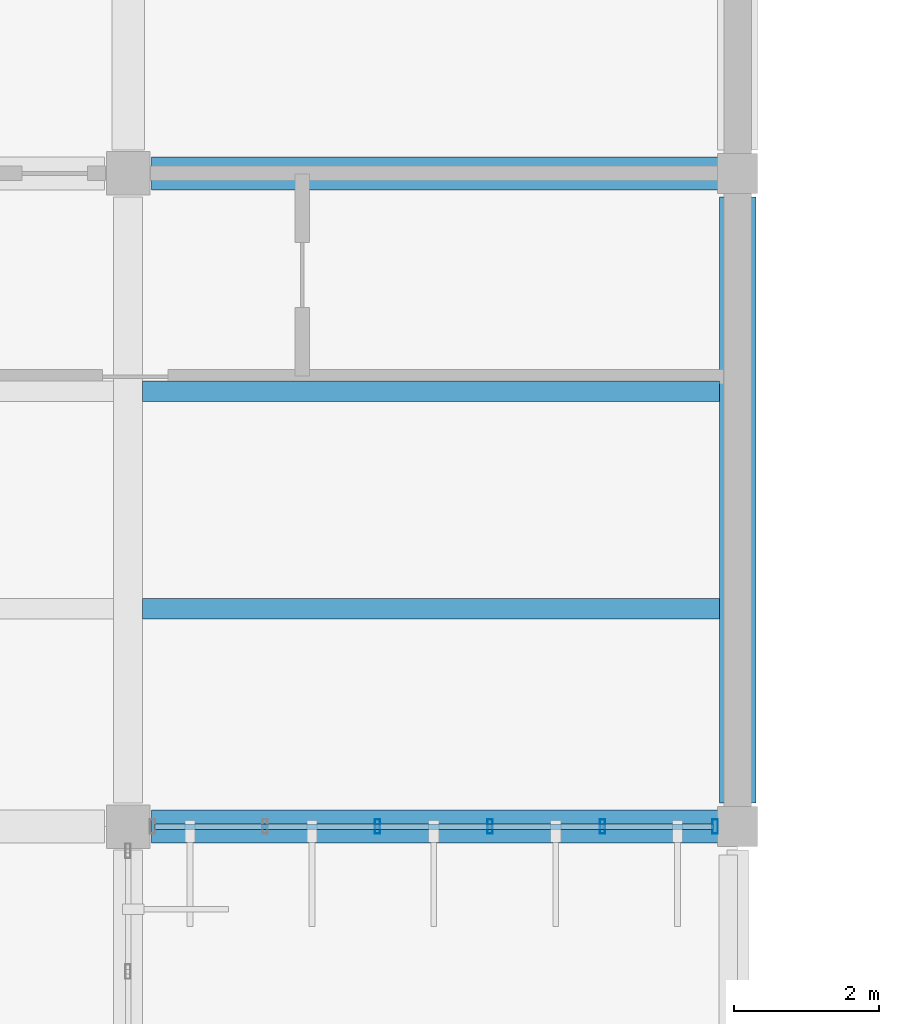
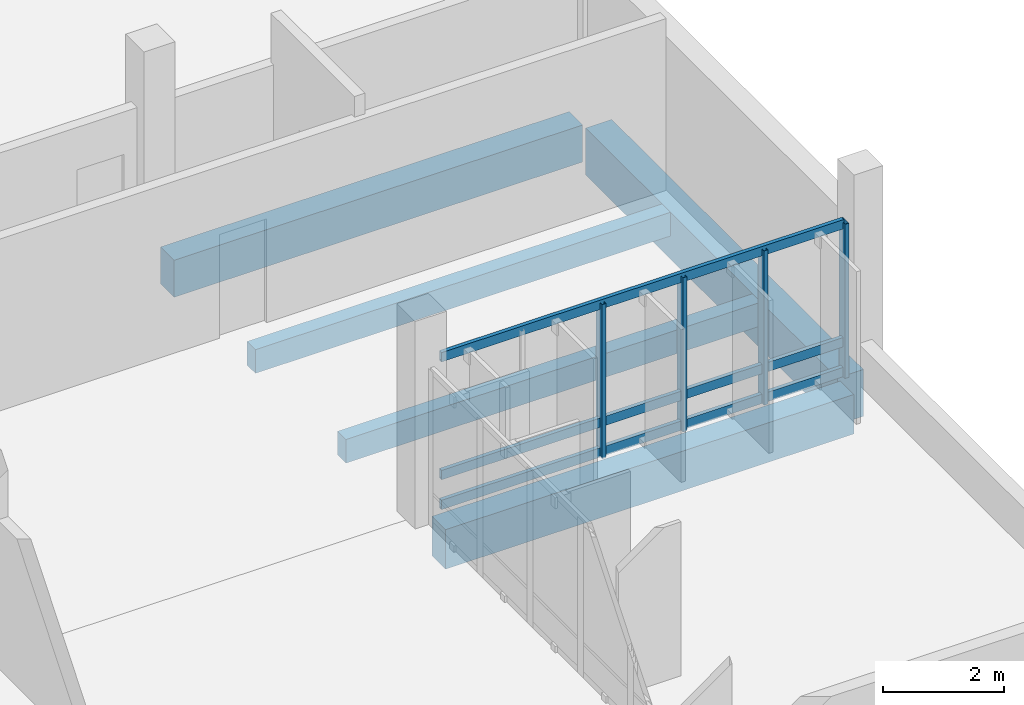
# One storey, part 78 of 130: 7 members, 5 beams, 1 element without a shape of its own.
"""IFC4 building model written with IfcOpenShell, lengths in metres."""

from ifc_helpers import new_model, si_unit, direction, frame, origin, origin_2d, place, context, subcontext, project, spatial, rectangle, hollow_rectangle, extrude, material, layer, layer_set, material_profile, profile_set, type_object, element, aggregate, save


model = new_model("IFC4")

# Units and contexts
model_context = context("Model", 3, precision=1e-05, world=origin(), true_north=direction((0.0, 1.0)))
body_context = subcontext(model_context, "Body", "Model", "MODEL_VIEW")
ifc_project = project(units=[si_unit("LENGTHUNIT", "METRE"), si_unit("AREAUNIT", "SQUARE_METRE"), si_unit("VOLUMEUNIT", "CUBIC_METRE"), si_unit("PLANEANGLEUNIT", "RADIAN"), si_unit("MASSUNIT", "GRAM", prefix="KILO")], contexts=[model_context])

# Site, building, storey
site_placement = place(None, origin())
site = spatial("IfcSite", under=ifc_project, at=site_placement, CompositionType="ELEMENT")
building_placement = place(site_placement, origin())
building = spatial("IfcBuilding", under=site, at=building_placement, Name="Vireocrest Preparatory School", CompositionType="ELEMENT")
storey_placement = place(building_placement, frame((0.0, 0.0, 9.0)))
storey = spatial("IfcBuildingStorey", under=building, at=storey_placement, Name="L02", CompositionType="ELEMENT", Elevation=9.0)

# Curtain wall, members
ifc_material_1 = material(Name="Thermally broken aluminium EN AW-6063-T6", Category="aluminium")
ifc_layer = layer(ifc_material_1, 0.179931640625)
ifc_layer_set = layer_set([ifc_layer], Name="Thermally broken aluminium EN AW-6063-T6")
curtain_wall_type = type_object("IfcCurtainWallType", Name="Side Banded Curtain Wall 9000x3200", PredefinedType="USERDEFINED", material=ifc_layer_set)
curtain_wall_placement = place(storey_placement, origin())
curtain_wall = element("IfcCurtainWall", 1, at=curtain_wall_placement, inside=storey, type_object=curtain_wall_type, Name="Curtain Wall CW09 CW_L02_CW09_1095_0948_090", ObjectType="CURTAIN WALL", PredefinedType="USERDEFINED")
ifc_material_profile_1 = material_profile(ifc_material_1, hollow_rectangle(XDim=0.074951171875, YDim=0.199951171875, WallThickness=0.0048828125, at=origin_2d()), Name="ALU 75x200x5")
ifc_profile_set_1 = profile_set([ifc_material_profile_1], Name="Thermally broken aluminium EN AW-6063-T6")
member_type_1 = type_object("IfcMemberType", Name="CW Mullion 75x200x5", PredefinedType="MULLION", material=ifc_profile_set_1)
member_1_placement = place(storey_placement, frame((112.636962890625, 94.800048828125, 0.0), z_axis=(0.0, 0.0, 1.0), x_axis=(1.0, 0.0, 0.0)))
member_1 = element("IfcMember", 2, at=member_1_placement, type_object=member_type_1, Name="CW Mullion ML3 CW_L02_CW09_1095_0948_090-3", PredefinedType="MULLION", context=body_context, shape_type="SweptSolid", body=[
    extrude(hollow_rectangle(XDim=0.074951171875, YDim=0.199951171875, WallThickness=0.0048828125, at=origin_2d()), origin(), (0.0, 0.0, 1.0), 3.125),
])
member_2_placement = place(storey_placement, frame((114.18798828125, 94.800048828125, 0.0), z_axis=(0.0, 0.0, 1.0), x_axis=(1.0, 0.0, 0.0)))
member_2 = element("IfcMember", 3, at=member_2_placement, type_object=member_type_1, Name="CW Mullion ML3 CW_L02_CW09_1095_0948_090-4", PredefinedType="MULLION", context=body_context, shape_type="SweptSolid", body=[
    extrude(hollow_rectangle(XDim=0.074951171875, YDim=0.199951171875, WallThickness=0.0048828125, at=origin_2d()), origin(), (0.0, 0.0, 1.0), 3.125),
])
member_3_placement = place(storey_placement, frame((115.739013671875, 94.800048828125, 0.0), z_axis=(0.0, 0.0, 1.0), x_axis=(1.0, 0.0, 0.0)))
member_3 = element("IfcMember", 4, at=member_3_placement, type_object=member_type_1, Name="CW Mullion ML3 CW_L02_CW09_1095_0948_090-5", PredefinedType="MULLION", context=body_context, shape_type="SweptSolid", body=[
    extrude(hollow_rectangle(XDim=0.074951171875, YDim=0.199951171875, WallThickness=0.0048828125, at=origin_2d()), origin(), (0.0, 0.0, 1.0), 3.125),
])
member_4_placement = place(storey_placement, frame((117.2900390625, 94.800048828125, 0.0), z_axis=(0.0, 0.0, 1.0), x_axis=(1.0, 0.0, 0.0)))
member_4 = element("IfcMember", 5, at=member_4_placement, type_object=member_type_1, Name="CW Mullion ML3 CW_L02_CW09_1095_0948_090-6", PredefinedType="MULLION", context=body_context, shape_type="SweptSolid", body=[
    extrude(hollow_rectangle(XDim=0.074951171875, YDim=0.199951171875, WallThickness=0.0048828125, at=origin_2d()), origin(), (0.0, 0.0, 1.0), 3.125),
])
ifc_material_profile_2 = material_profile(ifc_material_1, hollow_rectangle(XDim=0.074951171875, YDim=0.18994140625, WallThickness=0.00390625, at=origin_2d()), Name="ALU 75x190x4")
ifc_profile_set_2 = profile_set([ifc_material_profile_2], Name="Thermally broken aluminium EN AW-6063-T6")
member_type_2 = type_object("IfcMemberType", Name="CW Transom 75x190x4", PredefinedType="USERDEFINED", material=ifc_profile_set_2)
member_5_placement = place(storey_placement, frame((109.56005859375, 94.800048828125, 0.094970703125), z_axis=(1.0, 0.0, 0.0), x_axis=(0.0, 1.0, 0.0)))
member_5 = element("IfcMember", 6, at=member_5_placement, type_object=member_type_2, Name="CW Transom TR3 CW_L02_CW09_1095_0948_090-1", ObjectType="TRANSOM", PredefinedType="USERDEFINED", context=body_context, shape_type="SweptSolid", body=[
    extrude(hollow_rectangle(XDim=0.074951171875, YDim=0.18994140625, WallThickness=0.00390625, at=origin_2d()), origin(), (0.0, 0.0, 1.0), 7.704833984375),
])
member_6_placement = place(storey_placement, frame((109.56005859375, 94.800048828125, 0.699951171875), z_axis=(1.0, 0.0, 0.0), x_axis=(0.0, 1.0, 0.0)))
member_6 = element("IfcMember", 7, at=member_6_placement, type_object=member_type_2, Name="CW Transom TR3 CW_L02_CW09_1095_0948_090-2", ObjectType="TRANSOM", PredefinedType="USERDEFINED", context=body_context, shape_type="SweptSolid", body=[
    extrude(hollow_rectangle(XDim=0.074951171875, YDim=0.18994140625, WallThickness=0.00390625, at=origin_2d()), origin(), (0.0, 0.0, 1.0), 7.704833984375),
])
member_7_placement = place(storey_placement, frame((109.56005859375, 94.800048828125, 3.0849609375), z_axis=(1.0, 0.0, 0.0), x_axis=(0.0, 1.0, 0.0)))
member_7 = element("IfcMember", 8, at=member_7_placement, type_object=member_type_2, Name="CW Transom TR3 CW_L02_CW09_1095_0948_090-3", ObjectType="TRANSOM", PredefinedType="USERDEFINED", context=body_context, shape_type="SweptSolid", body=[
    extrude(hollow_rectangle(XDim=0.074951171875, YDim=0.18994140625, WallThickness=0.00390625, at=origin_2d()), origin(), (0.0, 0.0, 1.0), 7.704833984375),
])
aggregate(curtain_wall, [member_1, member_2, member_3, member_4, member_5, member_6, member_7])

# Beams
ifc_material_2 = material(Name="Concrete 40 MPa", Category="concrete")
ifc_material_profile_3 = material_profile(ifc_material_2, rectangle(XDim=0.5, YDim=0.949951171875, at=origin_2d()), Name="RC 500x950")
ifc_profile_set_3 = profile_set([ifc_material_profile_3], Name="Concrete 40 MPa")
beam_type_1 = type_object("IfcBeamType", Name="RC Basement Ceiling Girder 500x950", PredefinedType="BEAM", material=ifc_profile_set_3)
beam_1_placement = place(storey_placement, frame((117.60009765625, 95.125, -0.7548828125), z_axis=(0.0, 1.0, 0.0), x_axis=(-1.0, 0.0, 0.0)))
element("IfcBeam", 9, at=beam_1_placement, inside=storey, type_object=beam_type_1, Name="Primary Girder B16 L02-0873", PredefinedType="BEAM", context=body_context, shape_type="SweptSolid", body=[
    extrude(rectangle(XDim=0.5, YDim=0.949951171875, at=origin_2d()), origin(), (0.0, 0.0, 1.0), 8.35009765625),
])
ifc_material_profile_4 = material_profile(ifc_material_2, rectangle(XDim=0.449951171875, YDim=0.75, at=origin_2d()), Name="RC 450x750")
ifc_profile_set_4 = profile_set([ifc_material_profile_4], Name="Concrete 40 MPa")
beam_type_2 = type_object("IfcBeamType", Name="RC Library Stack Girder 450x750", PredefinedType="BEAM", material=ifc_profile_set_4)
beam_2_placement = place(storey_placement, frame((109.52490234375, 103.800048828125, -0.655029296875), z_axis=(1.0, 0.0, 0.0), x_axis=(0.0, 1.0, 0.0)))
element("IfcBeam", 10, at=beam_2_placement, inside=storey, type_object=beam_type_2, Name="Primary Girder B11 L02-0773", PredefinedType="BEAM", context=body_context, shape_type="SweptSolid", body=[
    extrude(rectangle(XDim=0.449951171875, YDim=0.75, at=origin_2d()), origin(), (0.0, 0.0, 1.0), 7.8251953125),
])
ifc_material_profile_5 = material_profile(ifc_material_2, rectangle(XDim=0.449951171875, YDim=0.800048828125, at=origin_2d()), Name="RC 450x800")
ifc_profile_set_5 = profile_set([ifc_material_profile_5], Name="Concrete 40 MPa")
beam_type_3 = type_object("IfcBeamType", Name="RC Library Stack Girder 450x800", PredefinedType="BEAM", material=ifc_profile_set_5)
beam_3_placement = place(storey_placement, frame((109.52490234375, 94.800048828125, -0.679931640625), z_axis=(1.0, 0.0, 0.0), x_axis=(0.0, 1.0, 0.0)))
element("IfcBeam", 11, at=beam_3_placement, inside=storey, type_object=beam_type_3, Name="Primary Girder B12 L02-0764", PredefinedType="BEAM", context=body_context, shape_type="SweptSolid", body=[
    extrude(rectangle(XDim=0.449951171875, YDim=0.800048828125, at=origin_2d()), origin(), (0.0, 0.0, 1.0), 7.8251953125),
])
ifc_material_profile_6 = material_profile(ifc_material_2, rectangle(XDim=0.280029296875, YDim=0.47998046875, at=origin_2d()), Name="RC 280x480")
ifc_profile_set_6 = profile_set([ifc_material_profile_6], Name="Concrete 40 MPa")
beam_type_4 = type_object("IfcBeamType", Name="RC Secondary Lab Joist 280x480", PredefinedType="JOIST", material=ifc_profile_set_6)
for number, where, z_axis, x_axis, name in (
    (12, (109.39990234375, 97.800048828125, -0.52001953125), (1.0, 0.0, 0.0), (0.0, 1.0, 0.0), "Secondary Joist J02 L02-1012"),
    (13, (109.39990234375, 100.800048828125, -0.52001953125), (1.0, 0.0, 0.0), (0.0, 1.0, 0.0), "Secondary Joist J02 L02-1013"),
):
    element("IfcBeam", number, at=place(storey_placement, frame(where, z_axis=z_axis, x_axis=x_axis)), inside=storey, type_object=beam_type_4, Name=name, PredefinedType="JOIST", context=body_context, shape_type="SweptSolid", body=[
        extrude(rectangle(XDim=0.280029296875, YDim=0.47998046875, at=origin_2d()), origin(), (0.0, 0.0, 1.0), 7.9501953125),
    ])

save(model, "model.ifc")
